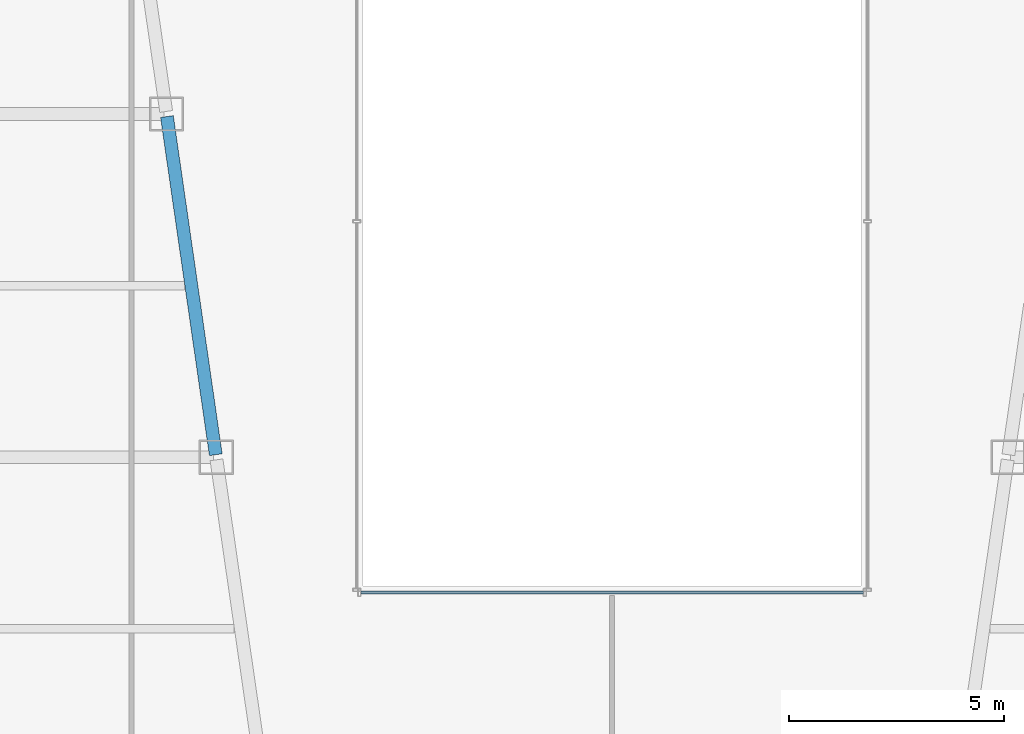
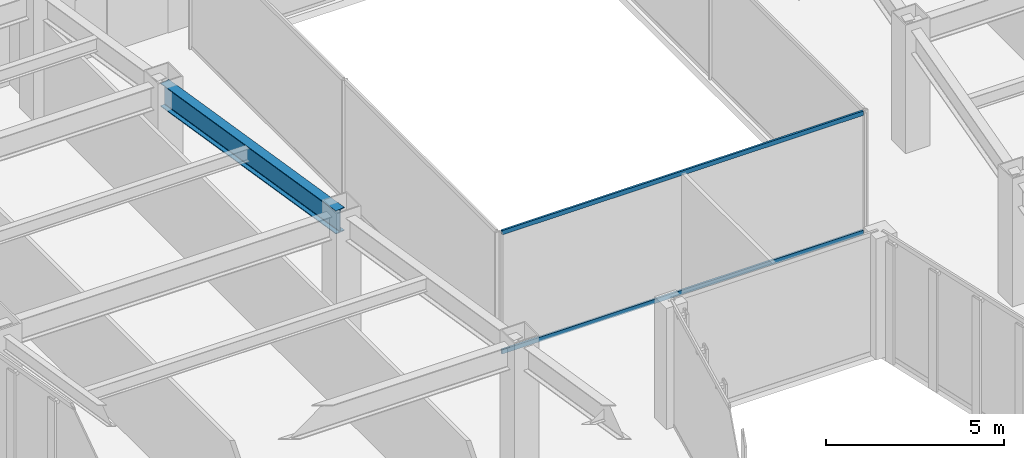
# One storey, part 13 of 47: 2 members, 1 beam, 1 element without a shape of its own.
"""IFC4 building model written with IfcOpenShell, lengths in metres."""

import ifcopenshell
import ifcopenshell.guid

model = None  # the IFC model being written
_history = None  # IfcOwnerHistory: only IFC2X3 demands one
_inside = {}  # id of a spatial element -> (the spatial element, [elements in it])
_under = {}  # id of a project, library or spatial element -> (it, [spatial elements below it])
_declared = {}  # id of a project -> (the project, [libraries it declares])
_typed = {}  # id of a type object -> (the type object, [elements of that type])
_made_of = {}  # id of a material, layer set ... -> (it, [elements and type objects made of it])


def new_model(schema):
    """Start an empty IFC model of exactly this schema.

    Asked for "IFC4X3", IfcOpenShell would pick the latest addendum, in which some entities
    have other attributes; the version numbers below select the first issue.
    IFC2X3 requires an IfcOwnerHistory on every rooted entity: one is made here for all.
    """
    global model, _history
    if schema == "IFC4X3":
        model = ifcopenshell.file(schema_version=(4, 3, 0, 0))
    else:
        model = ifcopenshell.file(schema=schema)
    _inside.clear()
    _under.clear()
    _declared.clear()
    _typed.clear()
    _made_of.clear()
    _history = None
    if model.schema == "IFC2X3":
        org = make("IfcOrganization", Name="unknown")
        user = make(
            "IfcPersonAndOrganization",
            ThePerson=make("IfcPerson", FamilyName="unknown"),
            TheOrganization=org,
        )
        app = make(
            "IfcApplication",
            ApplicationDeveloper=org,
            Version="unknown",
            ApplicationFullName="unknown",
            ApplicationIdentifier="unknown",
        )
        _history = make(
            "IfcOwnerHistory",
            OwningUser=user,
            OwningApplication=app,
            ChangeAction="ADDED",
            CreationDate=0,
        )
    return model


def make(cls, **values):
    """One entity of the class cls with the attributes given. An attribute that is None is left unset."""
    return model.create_entity(
        cls, **{name: value for name, value in values.items() if value is not None}
    )


def rooted(cls, **values):
    """An entity with a GlobalId (a new one), such as an element, a storey or a relation."""
    return make(cls, GlobalId=ifcopenshell.guid.new(), OwnerHistory=_history, **values)


def si_unit(unit_type, name, prefix=None):
    """IfcSIUnit, for example si_unit("LENGTHUNIT", "METRE", prefix="MILLI")."""
    return make("IfcSIUnit", UnitType=unit_type, Prefix=prefix, Name=name)


def assignment(units):
    """IfcUnitAssignment: the units of a project."""
    return None if units is None else make("IfcUnitAssignment", Units=units)


def point(xyz):
    """IfcCartesianPoint."""
    return None if xyz is None else make("IfcCartesianPoint", Coordinates=xyz)


def direction(xyz):
    """IfcDirection."""
    return None if xyz is None else make("IfcDirection", DirectionRatios=xyz)


def frame(location, z_axis=None, x_axis=None):
    """IfcAxis2Placement3D, a coordinate frame: its origin and axes. An axis left out is left unset."""
    return make(
        "IfcAxis2Placement3D",
        Location=point(location),
        Axis=direction(z_axis),
        RefDirection=direction(x_axis),
    )


def frame_2d(location, x_axis=None):
    """IfcAxis2Placement2D, a coordinate frame in the plane: its origin and x axis."""
    return make(
        "IfcAxis2Placement2D", Location=point(location), RefDirection=direction(x_axis)
    )


def origin():
    """The frame at (0, 0, 0) with its axes left unset."""
    return frame((0.0, 0.0, 0.0))


def origin_2d():
    """The frame at (0, 0) in the plane with its x axis left unset."""
    return frame_2d((0.0, 0.0))


def place(relative_to, where):
    """IfcLocalPlacement: puts the frame where relative to a parent placement (None: the world)."""
    return make(
        "IfcLocalPlacement", PlacementRelTo=relative_to, RelativePlacement=where
    )


def context(
    kind, dimensions, precision=None, world=None, true_north=None, identifier=None
):
    """IfcGeometricRepresentationContext, for example the 3D "Model" context."""
    return make(
        "IfcGeometricRepresentationContext",
        ContextIdentifier=identifier,
        ContextType=kind,
        CoordinateSpaceDimension=dimensions,
        Precision=precision,
        WorldCoordinateSystem=world,
        TrueNorth=true_north,
    )


def subcontext(parent, identifier, kind, view, scale=None):
    """IfcGeometricRepresentationSubContext, for example "Body" below "Model"."""
    return make(
        "IfcGeometricRepresentationSubContext",
        ContextIdentifier=identifier,
        ContextType=kind,
        ParentContext=parent,
        TargetScale=scale,
        TargetView=view,
    )


def project(units=None, contexts=None):
    """IfcProject with its units and contexts."""
    return rooted(
        "IfcProject",
        Name="project",
        RepresentationContexts=contexts,
        UnitsInContext=assignment(units),
    )


def spatial(cls, under=None, at=None, **own):
    """A site, building, storey or space (cls), placed at a placement, below another one or the project."""
    s = rooted(cls, ObjectPlacement=at, **own)
    if under is not None:
        _under.setdefault(under.id(), (under, []))[1].append(s)
    return s


def profile(cls, at=None, kind="AREA", **sizes):
    """A parametric profile (cls). Its sizes go by their IFC names, for example OverallWidth=200.0."""
    return make(cls, ProfileType=kind, Position=at, **sizes)


def hollow_rectangle(**sizes):
    """IfcRectangleHollowProfileDef."""
    return profile("IfcRectangleHollowProfileDef", **sizes)


def i_section(**sizes):
    """IfcIShapeProfileDef."""
    return profile("IfcIShapeProfileDef", **sizes)


def extrude(swept, where, along, depth):
    """IfcExtrudedAreaSolid: the profile swept, set in the frame where, extruded along a direction by depth."""
    return make(
        "IfcExtrudedAreaSolid",
        SweptArea=swept,
        Position=where,
        ExtrudedDirection=direction(along),
        Depth=depth,
    )


def shape(context_of_items, identifier, shape_type, items):
    """IfcShapeRepresentation: the items that make up one representation, for example the "Body"."""
    return make(
        "IfcShapeRepresentation",
        ContextOfItems=context_of_items,
        RepresentationIdentifier=identifier,
        RepresentationType=shape_type,
        Items=items,
    )


def material(Name=None, Category=None):
    """IfcMaterial."""
    return make("IfcMaterial", Name=Name, Category=Category)


def material_profile(
    of_material, cross_section, Name=None, Category=None, Priority=None
):
    """IfcMaterialProfile: a cross section and its material."""
    return make(
        "IfcMaterialProfile",
        Name=Name,
        Material=of_material,
        Profile=cross_section,
        Priority=Priority,
        Category=Category,
    )


def profile_set(profiles, Name=None, composite=None):
    """IfcMaterialProfileSet."""
    return make(
        "IfcMaterialProfileSet",
        Name=Name,
        MaterialProfiles=profiles,
        CompositeProfile=composite,
    )


def made_of(thing, what):
    """Note that an element or type object is made of a material, layer set ...; save() writes the relation."""
    if what is not None:
        _made_of.setdefault(what.id(), (what, []))[1].append(thing)
    return thing


def type_object(cls, material=None, **own):
    """A type object (cls), such as IfcWallType, which elements share."""
    return made_of(rooted(cls, **own), material)


def element(
    cls,
    number,
    at=None,
    inside=None,
    cuts=None,
    type_object=None,
    material=None,
    context=None,
    identifier="Body",
    shape_type=None,
    held_by="IfcProductDefinitionShape",
    body=None,
    shapes=None,
    **own,
):
    """One element of the class cls, such as IfcWall. Its Tag is "e" and its number.

    at: its placement. inside: the storey or other place that contains it. cuts: it is an
    opening in that element (IfcRelVoidsElement). A single representation is given by context,
    identifier, shape_type and body (its items); several are given by shapes. held_by: the class
    of the entity that holds the representations. save() writes the other relations.
    """
    e = rooted(cls, Tag="e%d" % number, ObjectPlacement=at, **own)
    if body is not None:
        shapes = [shape(context, identifier, shape_type, body)]
    if shapes is not None:
        e.Representation = make(held_by, Representations=shapes)
    if inside is not None:
        _inside.setdefault(inside.id(), (inside, []))[1].append(e)
    if cuts is not None:
        rooted(
            "IfcRelVoidsElement", RelatingBuildingElement=cuts, RelatedOpeningElement=e
        )
    if type_object is not None:
        _typed.setdefault(type_object.id(), (type_object, []))[1].append(e)
    return made_of(e, material)


def aggregate(whole, parts):
    """IfcRelAggregates: a whole, such as a stair, and the parts it consists of."""
    return rooted("IfcRelAggregates", RelatingObject=whole, RelatedObjects=parts)


def save(model, path):
    """Write the relations noted so far, then the file.

    IfcRelAggregates (storeys below a building ...), IfcRelContainedInSpatialStructure (elements
    in a storey), IfcRelDefinesByType, IfcRelAssociatesMaterial and IfcRelDeclares: one each for
    every whole, place, type object, material and project.
    """
    for whole, parts in _under.values():
        aggregate(whole, parts)
    for where, things in _inside.values():
        rooted(
            "IfcRelContainedInSpatialStructure",
            RelatedElements=things,
            RelatingStructure=where,
        )
    for kind, things in _typed.values():
        rooted("IfcRelDefinesByType", RelatedObjects=things, RelatingType=kind)
    for what, things in _made_of.values():
        rooted("IfcRelAssociatesMaterial", RelatedObjects=things, RelatingMaterial=what)
    for by, libraries in _declared.values():
        rooted("IfcRelDeclares", RelatingContext=by, RelatedDefinitions=libraries)
    model.write(path)


model = new_model("IFC4")

# Units and contexts
model_context = context("Model", 3, precision=1e-05, world=origin(), true_north=direction((0.0, 1.0)))
body_context = subcontext(model_context, "Body", "Model", "MODEL_VIEW")
ifc_project = project(units=[si_unit("LENGTHUNIT", "METRE"), si_unit("AREAUNIT", "SQUARE_METRE"), si_unit("VOLUMEUNIT", "CUBIC_METRE"), si_unit("PLANEANGLEUNIT", "RADIAN"), si_unit("MASSUNIT", "GRAM", prefix="KILO")], contexts=[model_context])

# Site, building, storey
site_placement = place(None, origin())
site = spatial("IfcSite", under=ifc_project, at=site_placement, CompositionType="ELEMENT")
building_placement = place(site_placement, origin())
building = spatial("IfcBuilding", under=site, at=building_placement, Name="Saevonmaru Cultural Tower", CompositionType="ELEMENT")
storey_placement = place(building_placement, frame((0.0, 0.0, 51.60009765625)))
storey = spatial("IfcBuildingStorey", under=building, at=storey_placement, Name="L10", CompositionType="ELEMENT", Elevation=51.60009765625)

# Beam
ifc_material_1 = material(Name="Steel SM420", Category="steel")
ifc_material_profile_1 = material_profile(ifc_material_1, i_section(OverallWidth=0.300048828125, OverallDepth=0.800048828125, WebThickness=0.013916015625, FlangeThickness=0.02587890625, FilletRadius=0.028076171875, at=origin_2d()), Name="H-800x300x14x26")
ifc_profile_set_1 = profile_set([ifc_material_profile_1], Name="Steel SM420")
beam_type = type_object("IfcBeamType", Name="BM-G-H800", PredefinedType="BEAM", material=ifc_profile_set_1)
beam_placement = place(storey_placement, frame((20.763427734375, 24.059326171875, 3.75), z_axis=(-0.142902032203, 0.989736838353, 0.0), x_axis=(-0.989736838353, -0.142902032203, 0.0)))
element("IfcBeam", 1, at=beam_placement, inside=storey, type_object=beam_type, Name="L10 West Atrium Girder 4", PredefinedType="BEAM", context=body_context, shape_type="SweptSolid", body=[
    extrude(i_section(OverallWidth=0.300048828125, OverallDepth=0.800048828125, WebThickness=0.013916015625, FlangeThickness=0.02587890625, FilletRadius=0.028076171875, at=origin_2d()), origin(), (0.0, 0.0, 1.0), 7.963134765625),
])

# Curtain wall, members
ifc_material_2 = material(Name="Satin Bronze Anodised Aluminium", Category="aluminium")
curtain_wall_type = type_object("IfcCurtainWallType", Name="CW-ATR-GLZ", PredefinedType="NOTDEFINED", material=ifc_material_2)
curtain_wall_placement = place(storey_placement, origin())
curtain_wall = element("IfcCurtainWall", 2, at=curtain_wall_placement, inside=storey, type_object=curtain_wall_type, Name="L10 Vertical Atrium Glazed Smoke Screen 1", PredefinedType="NOTDEFINED")
ifc_material_profile_2 = material_profile(ifc_material_2, hollow_rectangle(XDim=0.06494140625, YDim=0.14990234375, WallThickness=0.00390625, at=origin_2d()), Name="ALU-TRAN-150x65x4")
ifc_profile_set_2 = profile_set([ifc_material_profile_2], Name="Satin Bronze Anodised Aluminium")
member_type = type_object("IfcMemberType", Name="TR-CW-INT-150x65", PredefinedType="USERDEFINED", material=ifc_profile_set_2)
member_1_placement = place(storey_placement, frame((24.142578125, 20.85009765625, 0.032470703125), z_axis=(1.0, 0.0, 0.0), x_axis=(0.0, 1.0, 0.0)))
member_1 = element("IfcMember", 3, at=member_1_placement, type_object=member_type, Name="CW-ATR-L10-1 transom 1.1", ObjectType="TRANSOM", PredefinedType="USERDEFINED", context=body_context, shape_type="SweptSolid", body=[
    extrude(hollow_rectangle(XDim=0.06494140625, YDim=0.14990234375, WallThickness=0.00390625, at=origin_2d()), origin(), (0.0, 0.0, 1.0), 11.71484375),
])
member_2_placement = place(storey_placement, frame((24.142578125, 20.85009765625, 4.117431640625), z_axis=(1.0, 0.0, 0.0), x_axis=(0.0, 1.0, 0.0)))
member_2 = element("IfcMember", 4, at=member_2_placement, type_object=member_type, Name="CW-ATR-L10-1 transom 1.2", ObjectType="TRANSOM", PredefinedType="USERDEFINED", context=body_context, shape_type="SweptSolid", body=[
    extrude(hollow_rectangle(XDim=0.06494140625, YDim=0.14990234375, WallThickness=0.00390625, at=origin_2d()), origin(), (0.0, 0.0, 1.0), 11.71484375),
])
aggregate(curtain_wall, [member_1, member_2])

save(model, "model.ifc")
